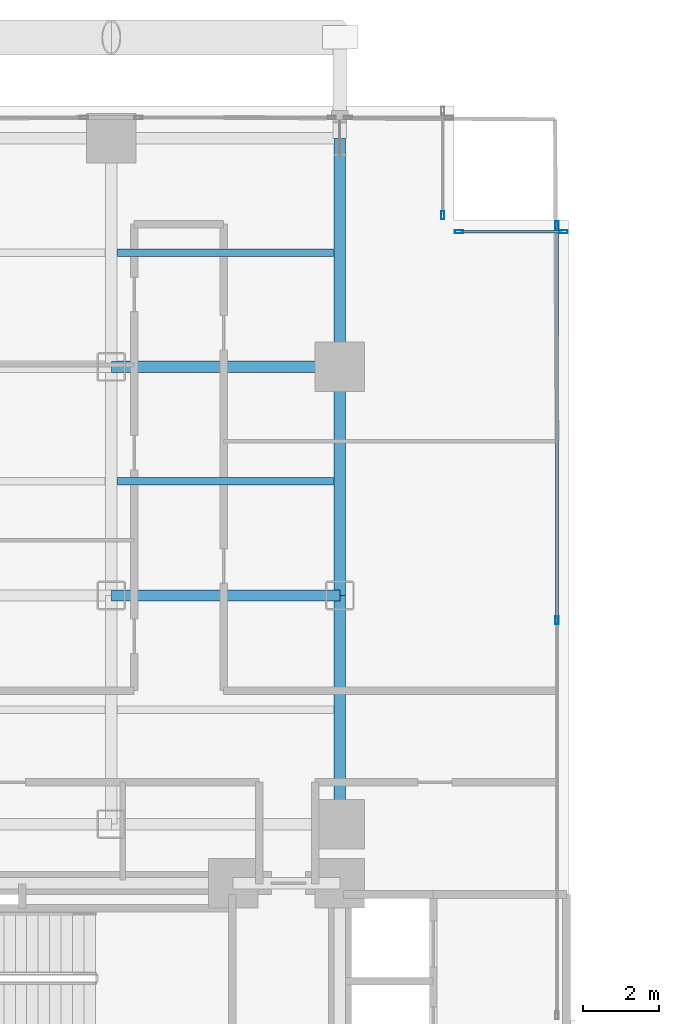
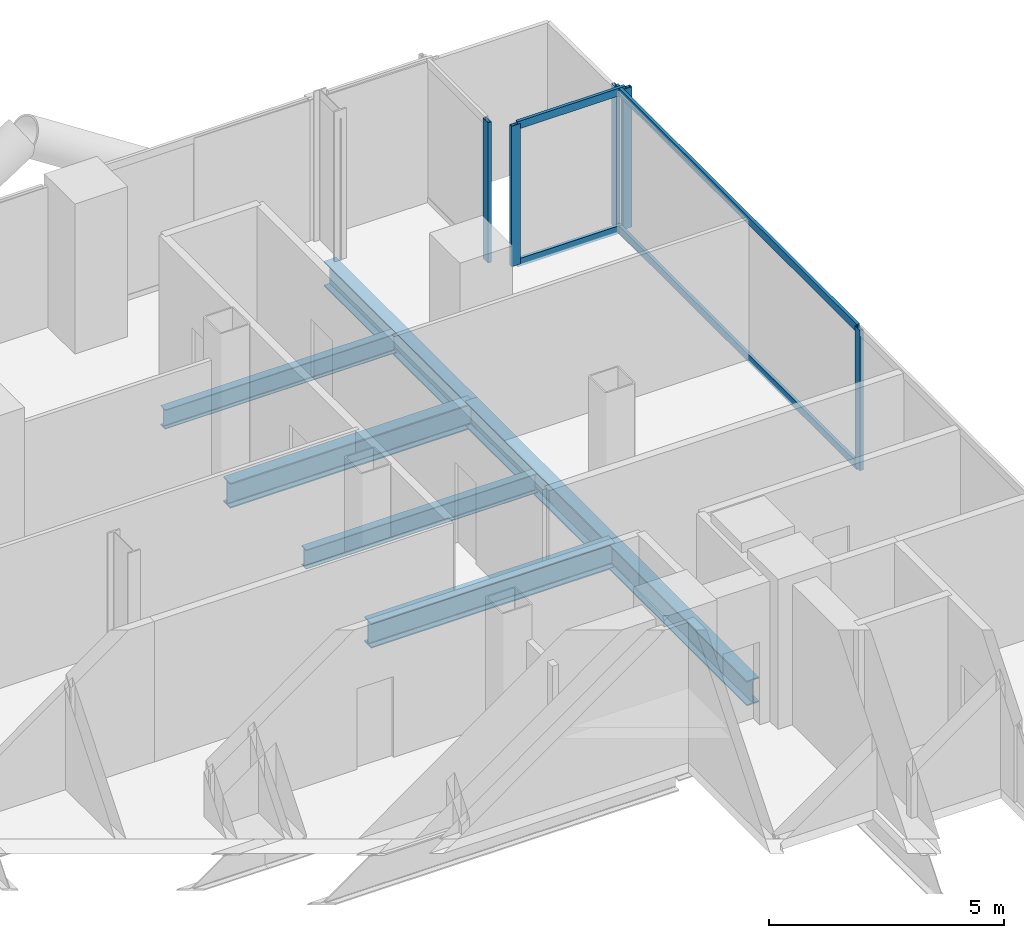
# One storey, part 15 of 27: 9 members, 7 beams, 3 elements without a shape of their own.
"""IFC4 building model written with IfcOpenShell, lengths in metres."""

from ifc_helpers import new_model, si_unit, direction, frame, origin, origin_2d, place, context, subcontext, project, spatial, hollow_rectangle, i_section, extrude, material, layer, layer_set, material_profile, profile_set, type_object, element, aggregate, save


model = new_model("IFC4")

# Units and contexts
model_context = context("Model", 3, precision=1e-05, world=origin(), true_north=direction((0.0, 1.0)))
body_context = subcontext(model_context, "Body", "Model", "MODEL_VIEW")
ifc_project = project(units=[si_unit("LENGTHUNIT", "METRE"), si_unit("AREAUNIT", "SQUARE_METRE"), si_unit("VOLUMEUNIT", "CUBIC_METRE"), si_unit("PLANEANGLEUNIT", "RADIAN"), si_unit("MASSUNIT", "GRAM", prefix="KILO"), si_unit("THERMODYNAMICTEMPERATUREUNIT", "KELVIN"), si_unit("POWERUNIT", "WATT")], contexts=[model_context])

# Site, building, storey
site_placement = place(None, origin())
site = spatial("IfcSite", under=ifc_project, at=site_placement, CompositionType="ELEMENT")
building_placement = place(site_placement, origin())
building = spatial("IfcBuilding", under=site, at=building_placement, Name="Svarakhadi Broadcast Tower", CompositionType="ELEMENT")
storey_placement = place(building_placement, frame((0.0, 0.0, 87.0)))
storey = spatial("IfcBuildingStorey", under=building, at=storey_placement, Name="L20", CompositionType="ELEMENT", Elevation=87.0)

# Beams
ifc_material_1 = material(Name="Steel S355J2 (IS 2062 E350C)", Category="steel")
ifc_material_profile_1 = material_profile(ifc_material_1, i_section(OverallWidth=0.199951171875, OverallDepth=0.5, WebThickness=0.01025390625, FlangeThickness=0.01611328125, FilletRadius=0.02099609375, at=origin_2d()), Name="NPB 500x200x91")
ifc_profile_set_1 = profile_set([ifc_material_profile_1], Name="Steel S355J2 (IS 2062 E350C)")
beam_type_1 = type_object("IfcBeamType", Name="Beam_NPB500", PredefinedType="BEAM", material=ifc_profile_set_1)
for number, where, z_axis, x_axis, name in (
    (1, (12.159912109375, 38.14990234375, -0.5), (1.0, 0.0, 0.0), (0.0, 1.0, 0.0), "L20 Secondary Composite Beam SB017"),
    (2, (12.159912109375, 44.14990234375, -0.5), (1.0, 0.0, 0.0), (0.0, 1.0, 0.0), "L20 Secondary Composite Beam SB018"),
):
    element("IfcBeam", number, at=place(storey_placement, frame(where, z_axis=z_axis, x_axis=x_axis)), inside=storey, type_object=beam_type_1, Name=name, PredefinedType="BEAM", context=body_context, shape_type="SweptSolid", body=[
        extrude(i_section(OverallWidth=0.199951171875, OverallDepth=0.5, WebThickness=0.01025390625, FlangeThickness=0.01611328125, FilletRadius=0.02099609375, at=origin_2d()), origin(), (0.0, 0.0, 1.0), 5.68017578125),
    ])

# Curtain wall, member
ifc_material_2 = material(Name="Anodised Bronze Aluminium AA 6063-T6", Category="aluminium")
ifc_layer = layer(ifc_material_2, 0.219970703125)
ifc_layer_set = layer_set([ifc_layer], Name="Anodised Bronze Aluminium AA 6063-T6")
curtain_wall_type = type_object("IfcCurtainWallType", Name="CW_Sys_02", PredefinedType="NOTDEFINED", material=ifc_layer_set)
curtain_wall_1_placement = place(storey_placement, origin())
curtain_wall_1 = element("IfcCurtainWall", 3, at=curtain_wall_1_placement, inside=storey, type_object=curtain_wall_type, Name="L20 Unitised Facade Curtain Wall 07", PredefinedType="NOTDEFINED")
ifc_material_profile_2 = material_profile(ifc_material_2, hollow_rectangle(XDim=0.0849609375, YDim=0.219970703125, WallThickness=0.006103515625, at=origin_2d()), Name="ALU MULLION 220x85x6")
ifc_profile_set_2 = profile_set([ifc_material_profile_2], Name="Anodised Bronze Aluminium AA 6063-T6")
member_type_1 = type_object("IfcMemberType", Name="CW_Sys_02_Mul", PredefinedType="MULLION", material=ifc_profile_set_2)
member_1_placement = place(storey_placement, frame((20.699951171875, 45.132568359375, 0.0), z_axis=(0.0, 0.0, 1.0), x_axis=(1.0, 0.0, 0.0)))
member_1 = element("IfcMember", 4, at=member_1_placement, type_object=member_type_1, Name="CW-02 mullion 2", PredefinedType="MULLION", context=body_context, shape_type="SweptSolid", body=[
    extrude(hollow_rectangle(XDim=0.0849609375, YDim=0.219970703125, WallThickness=0.006103515625, at=origin_2d()), origin(), (0.0, 0.0, 1.0), 3.64990234375),
])
aggregate(curtain_wall_1, [member_1])

# Curtain wall, members
curtain_wall_2_placement = place(storey_placement, origin())
curtain_wall_2 = element("IfcCurtainWall", 5, at=curtain_wall_2_placement, inside=storey, type_object=curtain_wall_type, Name="L20 Unitised Facade Curtain Wall 08", PredefinedType="NOTDEFINED")
member_2_placement = place(storey_placement, frame((21.132568359375, 44.699951171875, 0.0), z_axis=(0.0, 0.0, 1.0), x_axis=(0.0, 1.0, 0.0)))
member_2 = element("IfcMember", 6, at=member_2_placement, type_object=member_type_1, Name="CW-02 mullion 1", PredefinedType="MULLION", context=body_context, shape_type="SweptSolid", body=[
    extrude(hollow_rectangle(XDim=0.0849609375, YDim=0.219970703125, WallThickness=0.006103515625, at=origin_2d()), origin(), (0.0, 0.0, 1.0), 3.64990234375),
])
member_3_placement = place(storey_placement, frame((23.867431640625, 44.699951171875, 0.0), z_axis=(0.0, 0.0, 1.0), x_axis=(0.0, 1.0, 0.0)))
member_3 = element("IfcMember", 7, at=member_3_placement, type_object=member_type_1, Name="CW-02 mullion 2", PredefinedType="MULLION", context=body_context, shape_type="SweptSolid", body=[
    extrude(hollow_rectangle(XDim=0.0849609375, YDim=0.219970703125, WallThickness=0.006103515625, at=origin_2d()), origin(), (0.0, 0.0, 1.0), 3.64990234375),
])

curtain_wall_3_placement = place(storey_placement, origin())
curtain_wall_3 = element("IfcCurtainWall", 8, at=curtain_wall_3_placement, inside=storey, type_object=curtain_wall_type, Name="L20 Unitised Facade Curtain Wall 09", PredefinedType="NOTDEFINED")
member_4_placement = place(storey_placement, frame((23.699951171875, 44.867431640625, 0.0), z_axis=(0.0, 0.0, 1.0), x_axis=(1.0, 0.0, 0.0)))
member_4 = element("IfcMember", 9, at=member_4_placement, type_object=member_type_1, Name="CW-02 mullion 1", PredefinedType="MULLION", context=body_context, shape_type="SweptSolid", body=[
    extrude(hollow_rectangle(XDim=0.0849609375, YDim=0.219970703125, WallThickness=0.006103515625, at=origin_2d()), origin(), (0.0, 0.0, 1.0), 3.64990234375),
])
member_5_placement = place(storey_placement, frame((23.699951171875, 34.5, 0.0), z_axis=(0.0, 0.0, 1.0), x_axis=(1.0, 0.0, 0.0)))
member_5 = element("IfcMember", 10, at=member_5_placement, type_object=member_type_1, Name="CW-02 mullion 2", PredefinedType="MULLION", context=body_context, shape_type="SweptSolid", body=[
    extrude(hollow_rectangle(XDim=0.0849609375, YDim=0.219970703125, WallThickness=0.006103515625, at=origin_2d()), origin(), (0.0, 0.0, 1.0), 3.64990234375),
])

# Member
ifc_material_profile_3 = material_profile(ifc_material_2, hollow_rectangle(XDim=0.074951171875, YDim=0.199951171875, WallThickness=0.0048828125, at=origin_2d()), Name="ALU TRANSOM 200x75x5")
ifc_profile_set_3 = profile_set([ifc_material_profile_3], Name="Anodised Bronze Aluminium AA 6063-T6")
member_type_2 = type_object("IfcMemberType", Name="CW_Sys_02_Trn", PredefinedType="USERDEFINED", material=ifc_profile_set_3)
member_6_placement = place(storey_placement, frame((21.175048828125, 44.699951171875, 0.03759765625), z_axis=(1.0, 0.0, 0.0), x_axis=(0.0, 1.0, 0.0)))
member_6 = element("IfcMember", 11, at=member_6_placement, type_object=member_type_2, Name="CW-02 transom 1.1", ObjectType="TRANSOM", PredefinedType="USERDEFINED", context=body_context, shape_type="SweptSolid", body=[
    extrude(hollow_rectangle(XDim=0.074951171875, YDim=0.199951171875, WallThickness=0.0048828125, at=origin_2d()), origin(), (0.0, 0.0, 1.0), 2.64990234375),
])

member_7_placement = place(storey_placement, frame((21.175048828125, 44.699951171875, 3.612548828125), z_axis=(1.0, 0.0, 0.0), x_axis=(0.0, 1.0, 0.0)))
member_7 = element("IfcMember", 12, at=member_7_placement, type_object=member_type_2, Name="CW-02 transom 1.2", ObjectType="TRANSOM", PredefinedType="USERDEFINED", context=body_context, shape_type="SweptSolid", body=[
    extrude(hollow_rectangle(XDim=0.074951171875, YDim=0.199951171875, WallThickness=0.0048828125, at=origin_2d()), origin(), (0.0, 0.0, 1.0), 2.64990234375),
])

aggregate(curtain_wall_2, [member_2, member_3, member_6, member_7])

member_8_placement = place(storey_placement, frame((23.699951171875, 44.824951171875, 0.03759765625), z_axis=(0.0, -1.0, 0.0), x_axis=(1.0, 0.0, 0.0)))
member_8 = element("IfcMember", 13, at=member_8_placement, type_object=member_type_2, Name="CW-02 transom 1.1", ObjectType="TRANSOM", PredefinedType="USERDEFINED", context=body_context, shape_type="SweptSolid", body=[
    extrude(hollow_rectangle(XDim=0.074951171875, YDim=0.199951171875, WallThickness=0.0048828125, at=origin_2d()), origin(), (0.0, 0.0, 1.0), 10.282470703125),
])

member_9_placement = place(storey_placement, frame((23.699951171875, 44.824951171875, 3.612548828125), z_axis=(0.0, -1.0, 0.0), x_axis=(1.0, 0.0, 0.0)))
member_9 = element("IfcMember", 14, at=member_9_placement, type_object=member_type_2, Name="CW-02 transom 1.2", ObjectType="TRANSOM", PredefinedType="USERDEFINED", context=body_context, shape_type="SweptSolid", body=[
    extrude(hollow_rectangle(XDim=0.074951171875, YDim=0.199951171875, WallThickness=0.0048828125, at=origin_2d()), origin(), (0.0, 0.0, 1.0), 10.282470703125),
])

aggregate(curtain_wall_3, [member_4, member_5, member_8, member_9])

# Beams
ifc_material_profile_4 = material_profile(ifc_material_1, i_section(OverallWidth=0.300048828125, OverallDepth=0.64990234375, WebThickness=0.01611328125, FlangeThickness=0.031005859375, FilletRadius=0.027099609375, at=origin_2d()), Name="WPB 650x300x225")
ifc_profile_set_4 = profile_set([ifc_material_profile_4], Name="Steel S355J2 (IS 2062 E350C)")
beam_type_2 = type_object("IfcBeamType", Name="Girder_WPB650", PredefinedType="USERDEFINED", material=ifc_profile_set_4)
for number, where, z_axis, x_axis, name in (
    (15, (12.0, 35.14990234375, -0.574951171875), (1.0, 0.0, 0.0), (0.0, 1.0, 0.0), "L20 Primary E-W Girder G039"),
    (16, (12.0, 41.14990234375, -0.574951171875), (1.0, 0.0, 0.0), (0.0, 1.0, 0.0), "L20 Primary E-W Girder G042"),
    (17, (18.0, 29.14990234375, -0.574951171875), (0.0, 1.0, 0.0), (-1.0, 0.0, 0.0), "L20 Primary N-S Girder G068"),
    (18, (18.0, 35.14990234375, -0.574951171875), (0.0, 1.0, 0.0), (-1.0, 0.0, 0.0), "L20 Primary N-S Girder G069"),
    (19, (18.0, 41.14990234375, -0.574951171875), (0.0, 1.0, 0.0), (-1.0, 0.0, 0.0), "L20 Primary N-S Girder G070"),
):
    element("IfcBeam", number, at=place(storey_placement, frame(where, z_axis=z_axis, x_axis=x_axis)), inside=storey, type_object=beam_type_2, Name=name, ObjectType="GIRDER", PredefinedType="USERDEFINED", context=body_context, shape_type="SweptSolid", body=[
        extrude(i_section(OverallWidth=0.300048828125, OverallDepth=0.64990234375, WebThickness=0.01611328125, FlangeThickness=0.031005859375, FilletRadius=0.027099609375, at=origin_2d()), origin(), (0.0, 0.0, 1.0), 6.0),
    ])

save(model, "model.ifc")
